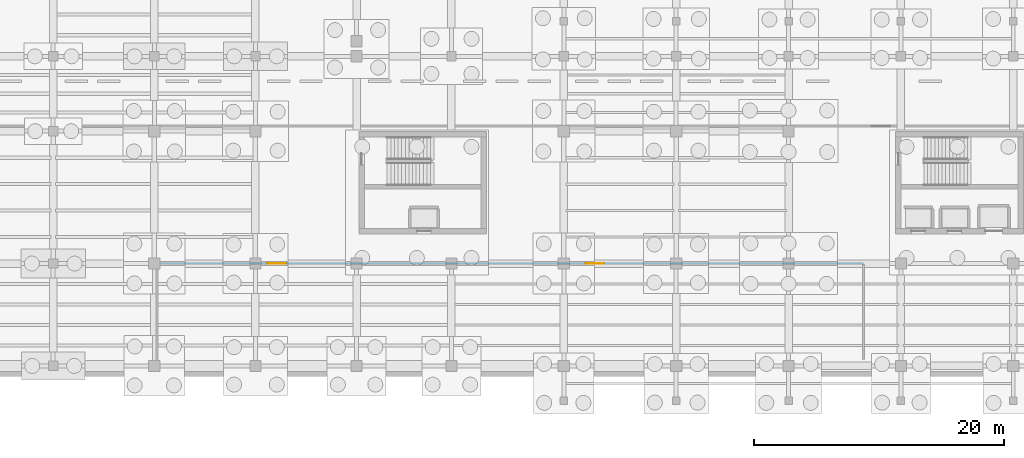
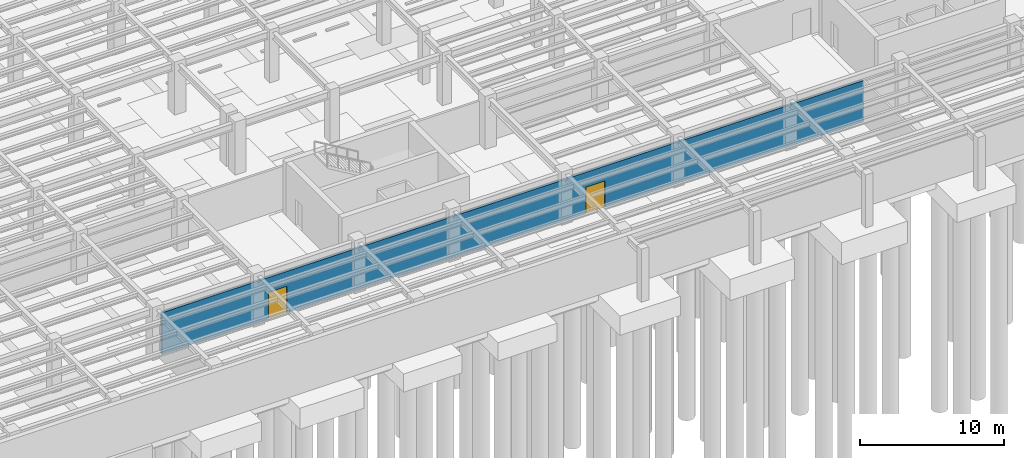
# One storey, part 32 of 49: 2 doors, 1 wall, 2 openings.
"""IFC4 building model written with IfcOpenShell, lengths in metres."""

from ifc_helpers import new_model, si_unit, direction, frame, frame_2d, origin, place, context, subcontext, project, spatial, rectangle, extrude, material, layer, layer_set, type_object, element, fill, save


model = new_model("IFC4")

# Units and contexts
model_context = context("Model", 3, precision=1e-05, world=origin(), true_north=direction((0.0, 1.0)))
body_context = subcontext(model_context, "Body", "Model", "MODEL_VIEW")
ifc_project = project(units=[si_unit("LENGTHUNIT", "METRE"), si_unit("AREAUNIT", "SQUARE_METRE"), si_unit("VOLUMEUNIT", "CUBIC_METRE"), si_unit("PLANEANGLEUNIT", "RADIAN"), si_unit("MASSUNIT", "GRAM", prefix="KILO")], contexts=[model_context])

# Site, building, storey
site_placement = place(None, origin())
site = spatial("IfcSite", under=ifc_project, at=site_placement, CompositionType="ELEMENT")
building_placement = place(site_placement, origin())
building = spatial("IfcBuilding", under=site, at=building_placement, Name="Sollismere Congress Hotel", CompositionType="ELEMENT")
storey_placement = place(building_placement, frame((0.0, 0.0, -4.5)))
storey = spatial("IfcBuildingStorey", under=building, at=storey_placement, Name="B1", CompositionType="ELEMENT", Elevation=-4.5)

# Wall, openings, doors
ifc_material_1 = material(Name="Fire-Rated Acoustic Gypsum Partition")
ifc_layer = layer(ifc_material_1, 0.1650390625, Name="Fire-Rated Acoustic Gypsum Partition")
ifc_layer_set = layer_set([ifc_layer], Name="Fire-Rated Acoustic Gypsum Partition")
wall_type = type_object("IfcWallType", Name="WL-PRT165R", PredefinedType="PARTITIONING", material=ifc_layer_set)
wall_placement = place(storey_placement, frame((34.699951171875, 8.199951171875, 0.0), z_axis=(0.0, 0.0, 1.0), x_axis=(1.0, 0.0, 0.0)))
wall = element("IfcWall", 1, at=wall_placement, inside=storey, type_object=wall_type, Name="Interior wall IW-B1-0756", PredefinedType="PARTITIONING", context=body_context, shape_type="SweptSolid", body=[
    extrude(rectangle(XDim=56.300048828125, YDim=0.1650390625, at=frame_2d((28.14990234375, 0.0))), origin(), (0.0, 0.0, 1.0), 3.50390625),
])
opening_1_placement = place(wall_placement, frame((34.050048828125, 0.0, 0.0)))
opening_1 = element("IfcOpeningElement", 2, at=opening_1_placement, cuts=wall, Name="Opening D-B1-0247", PredefinedType="OPENING", context=body_context, shape_type="SweptSolid", body=[
    extrude(rectangle(XDim=1.5, YDim=2.25, at=frame_2d((0.75, 1.125))), frame((0.0, 0.092529296875, 0.0), z_axis=(0.0, -1.0, 0.0), x_axis=(1.0, 0.0, 0.0)), (0.0, 0.0, 1.0), 0.18505859375),
])
opening_2_placement = place(wall_placement, frame((8.550048828125, 0.0, 0.0)))
opening_2 = element("IfcOpeningElement", 3, at=opening_2_placement, cuts=wall, Name="Opening D-B1-0248", PredefinedType="OPENING", context=body_context, shape_type="SweptSolid", body=[
    extrude(rectangle(XDim=1.5, YDim=2.25, at=frame_2d((0.75, 1.125))), frame((0.0, 0.092529296875, 0.0), z_axis=(0.0, -1.0, 0.0), x_axis=(1.0, 0.0, 0.0)), (0.0, 0.0, 1.0), 0.18505859375),
])
ifc_material_2 = material(Name="Fire-Rated Double Plant Room Door")
door_type = type_object("IfcDoorType", Name="DR-PL150", OperationType="NOTDEFINED", PredefinedType="DOOR", material=ifc_material_2)
door_1_placement = place(opening_1_placement, origin())
door_1 = element("IfcDoor", 4, at=door_1_placement, inside=storey, type_object=door_type, Name="Interior door D-B1-0247", OperationType="DOUBLE_DOOR_SINGLE_SWING", OverallHeight=2.25, OverallWidth=1.5, PredefinedType="DOOR", context=body_context, shape_type="SweptSolid", body=[
    extrude(rectangle(XDim=1.5, YDim=2.25, at=frame_2d((0.75, 1.125))), frame((0.0, 0.02490234375, 0.0), z_axis=(0.0, -1.0, 0.0), x_axis=(1.0, 0.0, 0.0)), (0.0, 0.0, 1.0), 0.050048828125),
])
fill(opening_1, door_1)
door_2_placement = place(opening_2_placement, origin())
door_2 = element("IfcDoor", 5, at=door_2_placement, inside=storey, type_object=door_type, Name="Interior door D-B1-0248", OperationType="DOUBLE_DOOR_SINGLE_SWING", OverallHeight=2.25, OverallWidth=1.5, PredefinedType="DOOR", context=body_context, shape_type="SweptSolid", body=[
    extrude(rectangle(XDim=1.5, YDim=2.25, at=frame_2d((0.75, 1.125))), frame((0.0, 0.02490234375, 0.0), z_axis=(0.0, -1.0, 0.0), x_axis=(1.0, 0.0, 0.0)), (0.0, 0.0, 1.0), 0.050048828125),
])
fill(opening_2, door_2)

save(model, "model.ifc")
